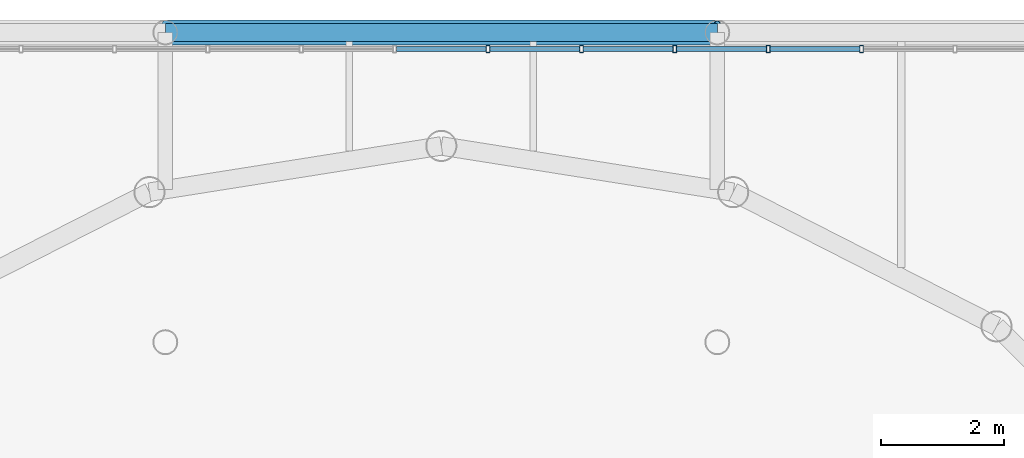
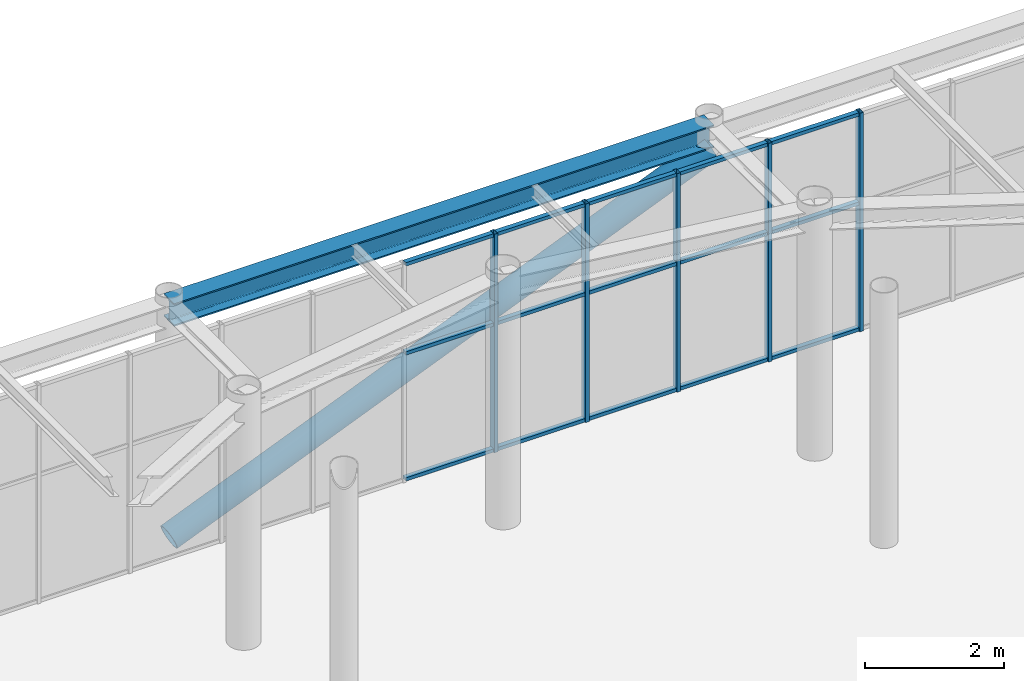
# One storey, part 62 of 149: 21 members, 1 beam, 1 element without a shape of its own.
"""IFC4 building model written with IfcOpenShell, lengths in metres."""

import ifcopenshell
import ifcopenshell.guid

model = None  # the IFC model being written
_history = None  # IfcOwnerHistory: only IFC2X3 demands one
_inside = {}  # id of a spatial element -> (the spatial element, [elements in it])
_under = {}  # id of a project, library or spatial element -> (it, [spatial elements below it])
_declared = {}  # id of a project -> (the project, [libraries it declares])
_typed = {}  # id of a type object -> (the type object, [elements of that type])
_made_of = {}  # id of a material, layer set ... -> (it, [elements and type objects made of it])


def new_model(schema):
    """Start an empty IFC model of exactly this schema.

    Asked for "IFC4X3", IfcOpenShell would pick the latest addendum, in which some entities
    have other attributes; the version numbers below select the first issue.
    IFC2X3 requires an IfcOwnerHistory on every rooted entity: one is made here for all.
    """
    global model, _history
    if schema == "IFC4X3":
        model = ifcopenshell.file(schema_version=(4, 3, 0, 0))
    else:
        model = ifcopenshell.file(schema=schema)
    _inside.clear()
    _under.clear()
    _declared.clear()
    _typed.clear()
    _made_of.clear()
    _history = None
    if model.schema == "IFC2X3":
        org = make("IfcOrganization", Name="unknown")
        user = make(
            "IfcPersonAndOrganization",
            ThePerson=make("IfcPerson", FamilyName="unknown"),
            TheOrganization=org,
        )
        app = make(
            "IfcApplication",
            ApplicationDeveloper=org,
            Version="unknown",
            ApplicationFullName="unknown",
            ApplicationIdentifier="unknown",
        )
        _history = make(
            "IfcOwnerHistory",
            OwningUser=user,
            OwningApplication=app,
            ChangeAction="ADDED",
            CreationDate=0,
        )
    return model


def make(cls, **values):
    """One entity of the class cls with the attributes given. An attribute that is None is left unset."""
    return model.create_entity(
        cls, **{name: value for name, value in values.items() if value is not None}
    )


def rooted(cls, **values):
    """An entity with a GlobalId (a new one), such as an element, a storey or a relation."""
    return make(cls, GlobalId=ifcopenshell.guid.new(), OwnerHistory=_history, **values)


def si_unit(unit_type, name, prefix=None):
    """IfcSIUnit, for example si_unit("LENGTHUNIT", "METRE", prefix="MILLI")."""
    return make("IfcSIUnit", UnitType=unit_type, Prefix=prefix, Name=name)


def assignment(units):
    """IfcUnitAssignment: the units of a project."""
    return None if units is None else make("IfcUnitAssignment", Units=units)


def point(xyz):
    """IfcCartesianPoint."""
    return None if xyz is None else make("IfcCartesianPoint", Coordinates=xyz)


def direction(xyz):
    """IfcDirection."""
    return None if xyz is None else make("IfcDirection", DirectionRatios=xyz)


def frame(location, z_axis=None, x_axis=None):
    """IfcAxis2Placement3D, a coordinate frame: its origin and axes. An axis left out is left unset."""
    return make(
        "IfcAxis2Placement3D",
        Location=point(location),
        Axis=direction(z_axis),
        RefDirection=direction(x_axis),
    )


def frame_2d(location, x_axis=None):
    """IfcAxis2Placement2D, a coordinate frame in the plane: its origin and x axis."""
    return make(
        "IfcAxis2Placement2D", Location=point(location), RefDirection=direction(x_axis)
    )


def origin():
    """The frame at (0, 0, 0) with its axes left unset."""
    return frame((0.0, 0.0, 0.0))


def origin_2d():
    """The frame at (0, 0) in the plane with its x axis left unset."""
    return frame_2d((0.0, 0.0))


def place(relative_to, where):
    """IfcLocalPlacement: puts the frame where relative to a parent placement (None: the world)."""
    return make(
        "IfcLocalPlacement", PlacementRelTo=relative_to, RelativePlacement=where
    )


def context(
    kind, dimensions, precision=None, world=None, true_north=None, identifier=None
):
    """IfcGeometricRepresentationContext, for example the 3D "Model" context."""
    return make(
        "IfcGeometricRepresentationContext",
        ContextIdentifier=identifier,
        ContextType=kind,
        CoordinateSpaceDimension=dimensions,
        Precision=precision,
        WorldCoordinateSystem=world,
        TrueNorth=true_north,
    )


def subcontext(parent, identifier, kind, view, scale=None):
    """IfcGeometricRepresentationSubContext, for example "Body" below "Model"."""
    return make(
        "IfcGeometricRepresentationSubContext",
        ContextIdentifier=identifier,
        ContextType=kind,
        ParentContext=parent,
        TargetScale=scale,
        TargetView=view,
    )


def project(units=None, contexts=None):
    """IfcProject with its units and contexts."""
    return rooted(
        "IfcProject",
        Name="project",
        RepresentationContexts=contexts,
        UnitsInContext=assignment(units),
    )


def spatial(cls, under=None, at=None, **own):
    """A site, building, storey or space (cls), placed at a placement, below another one or the project."""
    s = rooted(cls, ObjectPlacement=at, **own)
    if under is not None:
        _under.setdefault(under.id(), (under, []))[1].append(s)
    return s


def profile(cls, at=None, kind="AREA", **sizes):
    """A parametric profile (cls). Its sizes go by their IFC names, for example OverallWidth=200.0."""
    return make(cls, ProfileType=kind, Position=at, **sizes)


def hollow_rectangle(**sizes):
    """IfcRectangleHollowProfileDef."""
    return profile("IfcRectangleHollowProfileDef", **sizes)


def hollow_circle(**sizes):
    """IfcCircleHollowProfileDef."""
    return profile("IfcCircleHollowProfileDef", **sizes)


def i_section(**sizes):
    """IfcIShapeProfileDef."""
    return profile("IfcIShapeProfileDef", **sizes)


def extrude(swept, where, along, depth):
    """IfcExtrudedAreaSolid: the profile swept, set in the frame where, extruded along a direction by depth."""
    return make(
        "IfcExtrudedAreaSolid",
        SweptArea=swept,
        Position=where,
        ExtrudedDirection=direction(along),
        Depth=depth,
    )


def shape(context_of_items, identifier, shape_type, items):
    """IfcShapeRepresentation: the items that make up one representation, for example the "Body"."""
    return make(
        "IfcShapeRepresentation",
        ContextOfItems=context_of_items,
        RepresentationIdentifier=identifier,
        RepresentationType=shape_type,
        Items=items,
    )


def material(Name=None, Category=None):
    """IfcMaterial."""
    return make("IfcMaterial", Name=Name, Category=Category)


def layer(
    of_material, thickness, ventilated=None, Name=None, Category=None, Priority=None
):
    """IfcMaterialLayer: one layer of a wall or slab, of a material (None: an air gap)."""
    return make(
        "IfcMaterialLayer",
        Material=of_material,
        LayerThickness=thickness,
        IsVentilated=ventilated,
        Name=Name,
        Category=Category,
        Priority=Priority,
    )


def layer_set(layers, Name=None):
    """IfcMaterialLayerSet."""
    return make("IfcMaterialLayerSet", MaterialLayers=layers, LayerSetName=Name)


def material_profile(
    of_material, cross_section, Name=None, Category=None, Priority=None
):
    """IfcMaterialProfile: a cross section and its material."""
    return make(
        "IfcMaterialProfile",
        Name=Name,
        Material=of_material,
        Profile=cross_section,
        Priority=Priority,
        Category=Category,
    )


def profile_set(profiles, Name=None, composite=None):
    """IfcMaterialProfileSet."""
    return make(
        "IfcMaterialProfileSet",
        Name=Name,
        MaterialProfiles=profiles,
        CompositeProfile=composite,
    )


def made_of(thing, what):
    """Note that an element or type object is made of a material, layer set ...; save() writes the relation."""
    if what is not None:
        _made_of.setdefault(what.id(), (what, []))[1].append(thing)
    return thing


def type_object(cls, material=None, **own):
    """A type object (cls), such as IfcWallType, which elements share."""
    return made_of(rooted(cls, **own), material)


def element(
    cls,
    number,
    at=None,
    inside=None,
    cuts=None,
    type_object=None,
    material=None,
    context=None,
    identifier="Body",
    shape_type=None,
    held_by="IfcProductDefinitionShape",
    body=None,
    shapes=None,
    **own,
):
    """One element of the class cls, such as IfcWall. Its Tag is "e" and its number.

    at: its placement. inside: the storey or other place that contains it. cuts: it is an
    opening in that element (IfcRelVoidsElement). A single representation is given by context,
    identifier, shape_type and body (its items); several are given by shapes. held_by: the class
    of the entity that holds the representations. save() writes the other relations.
    """
    e = rooted(cls, Tag="e%d" % number, ObjectPlacement=at, **own)
    if body is not None:
        shapes = [shape(context, identifier, shape_type, body)]
    if shapes is not None:
        e.Representation = make(held_by, Representations=shapes)
    if inside is not None:
        _inside.setdefault(inside.id(), (inside, []))[1].append(e)
    if cuts is not None:
        rooted(
            "IfcRelVoidsElement", RelatingBuildingElement=cuts, RelatedOpeningElement=e
        )
    if type_object is not None:
        _typed.setdefault(type_object.id(), (type_object, []))[1].append(e)
    return made_of(e, material)


def aggregate(whole, parts):
    """IfcRelAggregates: a whole, such as a stair, and the parts it consists of."""
    return rooted("IfcRelAggregates", RelatingObject=whole, RelatedObjects=parts)


def save(model, path):
    """Write the relations noted so far, then the file.

    IfcRelAggregates (storeys below a building ...), IfcRelContainedInSpatialStructure (elements
    in a storey), IfcRelDefinesByType, IfcRelAssociatesMaterial and IfcRelDeclares: one each for
    every whole, place, type object, material and project.
    """
    for whole, parts in _under.values():
        aggregate(whole, parts)
    for where, things in _inside.values():
        rooted(
            "IfcRelContainedInSpatialStructure",
            RelatedElements=things,
            RelatingStructure=where,
        )
    for kind, things in _typed.values():
        rooted("IfcRelDefinesByType", RelatedObjects=things, RelatingType=kind)
    for what, things in _made_of.values():
        rooted("IfcRelAssociatesMaterial", RelatedObjects=things, RelatingMaterial=what)
    for by, libraries in _declared.values():
        rooted("IfcRelDeclares", RelatingContext=by, RelatedDefinitions=libraries)
    model.write(path)


model = new_model("IFC4")

# Units and contexts
model_context = context("Model", 3, precision=1e-05, world=origin(), true_north=direction((0.0, 1.0)))
body_context = subcontext(model_context, "Body", "Model", "MODEL_VIEW")
ifc_project = project(units=[si_unit("LENGTHUNIT", "METRE"), si_unit("AREAUNIT", "SQUARE_METRE"), si_unit("VOLUMEUNIT", "CUBIC_METRE"), si_unit("PLANEANGLEUNIT", "RADIAN"), si_unit("MASSUNIT", "GRAM", prefix="KILO")], contexts=[model_context])

# Site, building, storey
site_placement = place(None, origin())
site = spatial("IfcSite", under=ifc_project, at=site_placement, CompositionType="ELEMENT")
building_placement = place(site_placement, origin())
building = spatial("IfcBuilding", under=site, at=building_placement, Name="Kallimachos Central Library", CompositionType="ELEMENT")
storey_placement = place(building_placement, frame((0.0, 0.0, 9.89990234375)))
storey = spatial("IfcBuildingStorey", under=building, at=storey_placement, Name="L02", CompositionType="ELEMENT", Elevation=9.89990234375)

# Member
ifc_material_1 = material(Name="Steel S355J2H", Category="steel")
ifc_material_profile_1 = material_profile(ifc_material_1, hollow_circle(Radius=0.203125, WallThickness=0.01611328125, at=origin_2d()), Name="CHS 406.4x16")
ifc_profile_set_1 = profile_set([ifc_material_profile_1], Name="Steel S355J2H")
member_type_1 = type_object("IfcMemberType", Name="CHS 406.4x16 brace", PredefinedType="BRACE", material=ifc_profile_set_1)
member_1_placement = place(storey_placement, frame((83.5, 121.64990234375, 0.150146484375), z_axis=(0.924892546912, 0.0, 0.380228584756), x_axis=(0.0, 1.0, 0.0)))
element("IfcMember", 1, at=member_1_placement, inside=storey, type_object=member_type_1, Name="Cantilever truss diagonal north bay 3 L02", PredefinedType="BRACE", context=body_context, shape_type="SweptSolid", body=[
    extrude(hollow_circle(Radius=0.203125, WallThickness=0.01611328125, at=origin_2d()), origin(), (0.0, 0.0, 1.0), 9.73095703125),
])

# Curtain wall, members
ifc_material_2 = material(Name="Anodised aluminium and laminated glass", Category="aluminium")
ifc_layer = layer(ifc_material_2, 0.159912109375)
ifc_layer_set = layer_set([ifc_layer], Name="Glass box curtain wall")
curtain_wall_type = type_object("IfcCurtainWallType", Name="Glass box curtain wall", PredefinedType="NOTDEFINED", material=ifc_layer_set)
curtain_wall_placement = place(storey_placement, origin())
curtain_wall = element("IfcCurtainWall", 2, at=curtain_wall_placement, inside=storey, type_object=curtain_wall_type, Name="Glass box curtain wall N L02", PredefinedType="NOTDEFINED")
ifc_material_3 = material(Name="Anodised aluminium", Category="aluminium")
ifc_material_profile_2 = material_profile(ifc_material_3, hollow_rectangle(XDim=0.06005859375, YDim=0.1201171875, WallThickness=0.00390625, at=origin_2d()), Name="ALU MULLION 60x120")
ifc_profile_set_2 = profile_set([ifc_material_profile_2], Name="Anodised aluminium")
member_type_2 = type_object("IfcMemberType", Name="Glass box mullion 60x120", PredefinedType="MULLION", material=ifc_profile_set_2)
member_2_placement = place(storey_placement, frame((88.761474609375, 121.3798828125, 0.0), z_axis=(0.0, 0.0, 1.0), x_axis=(1.0, 0.0, 0.0)))
member_2 = element("IfcMember", 3, at=member_2_placement, type_object=member_type_2, Name="CW20 mullion 16", PredefinedType="MULLION", context=body_context, shape_type="SweptSolid", body=[
    extrude(hollow_rectangle(XDim=0.06005859375, YDim=0.1201171875, WallThickness=0.00390625, at=origin_2d()), origin(), (0.0, 0.0, 1.0), 3.85009765625),
])
member_3_placement = place(storey_placement, frame((90.2841796875, 121.3798828125, 0.0), z_axis=(0.0, 0.0, 1.0), x_axis=(1.0, 0.0, 0.0)))
member_3 = element("IfcMember", 4, at=member_3_placement, type_object=member_type_2, Name="CW20 mullion 17", PredefinedType="MULLION", context=body_context, shape_type="SweptSolid", body=[
    extrude(hollow_rectangle(XDim=0.06005859375, YDim=0.1201171875, WallThickness=0.00390625, at=origin_2d()), origin(), (0.0, 0.0, 1.0), 3.85009765625),
])
member_4_placement = place(storey_placement, frame((91.806884765625, 121.3798828125, 0.0), z_axis=(0.0, 0.0, 1.0), x_axis=(1.0, 0.0, 0.0)))
member_4 = element("IfcMember", 5, at=member_4_placement, type_object=member_type_2, Name="CW20 mullion 18", PredefinedType="MULLION", context=body_context, shape_type="SweptSolid", body=[
    extrude(hollow_rectangle(XDim=0.06005859375, YDim=0.1201171875, WallThickness=0.00390625, at=origin_2d()), origin(), (0.0, 0.0, 1.0), 3.85009765625),
])
member_5_placement = place(storey_placement, frame((93.32958984375, 121.3798828125, 0.0), z_axis=(0.0, 0.0, 1.0), x_axis=(1.0, 0.0, 0.0)))
member_5 = element("IfcMember", 6, at=member_5_placement, type_object=member_type_2, Name="CW20 mullion 19", PredefinedType="MULLION", context=body_context, shape_type="SweptSolid", body=[
    extrude(hollow_rectangle(XDim=0.06005859375, YDim=0.1201171875, WallThickness=0.00390625, at=origin_2d()), origin(), (0.0, 0.0, 1.0), 3.85009765625),
])
member_6_placement = place(storey_placement, frame((94.852294921875, 121.3798828125, 0.0), z_axis=(0.0, 0.0, 1.0), x_axis=(1.0, 0.0, 0.0)))
member_6 = element("IfcMember", 7, at=member_6_placement, type_object=member_type_2, Name="CW20 mullion 20", PredefinedType="MULLION", context=body_context, shape_type="SweptSolid", body=[
    extrude(hollow_rectangle(XDim=0.06005859375, YDim=0.1201171875, WallThickness=0.00390625, at=origin_2d()), origin(), (0.0, 0.0, 1.0), 3.85009765625),
])
ifc_material_4 = material(Name="Anodised aluminium", Category="aluminium")
ifc_material_profile_3 = material_profile(ifc_material_4, hollow_rectangle(XDim=0.06005859375, YDim=0.080078125, WallThickness=0.00390625, at=origin_2d()), Name="ALU TRANSOM 60x80")
ifc_profile_set_3 = profile_set([ifc_material_profile_3], Name="Anodised aluminium")
member_type_3 = type_object("IfcMemberType", Name="Glass box transom 60x80", PredefinedType="USERDEFINED", material=ifc_profile_set_3)
member_7_placement = place(storey_placement, frame((87.2685546875, 121.3798828125, 0.030029296875), z_axis=(1.0, 0.0, 0.0), x_axis=(0.0, 0.0, 1.0)))
member_7 = element("IfcMember", 8, at=member_7_placement, type_object=member_type_3, Name="CW20 transom 15.1", ObjectType="TRANSOM", PredefinedType="USERDEFINED", context=body_context, shape_type="SweptSolid", body=[
    extrude(hollow_rectangle(XDim=0.06005859375, YDim=0.080078125, WallThickness=0.00390625, at=origin_2d()), origin(), (0.0, 0.0, 1.0), 1.462890625),
])
member_8_placement = place(storey_placement, frame((87.2685546875, 121.3798828125, 2.25), z_axis=(1.0, 0.0, 0.0), x_axis=(0.0, 0.0, 1.0)))
member_8 = element("IfcMember", 9, at=member_8_placement, type_object=member_type_3, Name="CW20 transom 15.2", ObjectType="TRANSOM", PredefinedType="USERDEFINED", context=body_context, shape_type="SweptSolid", body=[
    extrude(hollow_rectangle(XDim=0.06005859375, YDim=0.080078125, WallThickness=0.00390625, at=origin_2d()), origin(), (0.0, 0.0, 1.0), 1.462890625),
])
member_9_placement = place(storey_placement, frame((87.2685546875, 121.3798828125, 3.820068359375), z_axis=(1.0, 0.0, 0.0), x_axis=(0.0, 0.0, 1.0)))
member_9 = element("IfcMember", 10, at=member_9_placement, type_object=member_type_3, Name="CW20 transom 15.3", ObjectType="TRANSOM", PredefinedType="USERDEFINED", context=body_context, shape_type="SweptSolid", body=[
    extrude(hollow_rectangle(XDim=0.06005859375, YDim=0.080078125, WallThickness=0.00390625, at=origin_2d()), origin(), (0.0, 0.0, 1.0), 1.462890625),
])
member_10_placement = place(storey_placement, frame((88.791259765625, 121.3798828125, 0.030029296875), z_axis=(1.0, 0.0, 0.0), x_axis=(0.0, 0.0, 1.0)))
member_10 = element("IfcMember", 11, at=member_10_placement, type_object=member_type_3, Name="CW20 transom 16.1", ObjectType="TRANSOM", PredefinedType="USERDEFINED", context=body_context, shape_type="SweptSolid", body=[
    extrude(hollow_rectangle(XDim=0.06005859375, YDim=0.080078125, WallThickness=0.00390625, at=origin_2d()), origin(), (0.0, 0.0, 1.0), 1.462890625),
])
member_11_placement = place(storey_placement, frame((88.791259765625, 121.3798828125, 2.25), z_axis=(1.0, 0.0, 0.0), x_axis=(0.0, 0.0, 1.0)))
member_11 = element("IfcMember", 12, at=member_11_placement, type_object=member_type_3, Name="CW20 transom 16.2", ObjectType="TRANSOM", PredefinedType="USERDEFINED", context=body_context, shape_type="SweptSolid", body=[
    extrude(hollow_rectangle(XDim=0.06005859375, YDim=0.080078125, WallThickness=0.00390625, at=origin_2d()), origin(), (0.0, 0.0, 1.0), 1.462890625),
])
member_12_placement = place(storey_placement, frame((88.791259765625, 121.3798828125, 3.820068359375), z_axis=(1.0, 0.0, 0.0), x_axis=(0.0, 0.0, 1.0)))
member_12 = element("IfcMember", 13, at=member_12_placement, type_object=member_type_3, Name="CW20 transom 16.3", ObjectType="TRANSOM", PredefinedType="USERDEFINED", context=body_context, shape_type="SweptSolid", body=[
    extrude(hollow_rectangle(XDim=0.06005859375, YDim=0.080078125, WallThickness=0.00390625, at=origin_2d()), origin(), (0.0, 0.0, 1.0), 1.462890625),
])
member_13_placement = place(storey_placement, frame((90.314208984375, 121.3798828125, 0.030029296875), z_axis=(1.0, 0.0, 0.0), x_axis=(0.0, 0.0, 1.0)))
member_13 = element("IfcMember", 14, at=member_13_placement, type_object=member_type_3, Name="CW20 transom 17.1", ObjectType="TRANSOM", PredefinedType="USERDEFINED", context=body_context, shape_type="SweptSolid", body=[
    extrude(hollow_rectangle(XDim=0.06005859375, YDim=0.080078125, WallThickness=0.00390625, at=origin_2d()), origin(), (0.0, 0.0, 1.0), 1.462646484375),
])
member_14_placement = place(storey_placement, frame((90.314208984375, 121.3798828125, 2.25), z_axis=(1.0, 0.0, 0.0), x_axis=(0.0, 0.0, 1.0)))
member_14 = element("IfcMember", 15, at=member_14_placement, type_object=member_type_3, Name="CW20 transom 17.2", ObjectType="TRANSOM", PredefinedType="USERDEFINED", context=body_context, shape_type="SweptSolid", body=[
    extrude(hollow_rectangle(XDim=0.06005859375, YDim=0.080078125, WallThickness=0.00390625, at=origin_2d()), origin(), (0.0, 0.0, 1.0), 1.462646484375),
])
member_15_placement = place(storey_placement, frame((90.314208984375, 121.3798828125, 3.820068359375), z_axis=(1.0, 0.0, 0.0), x_axis=(0.0, 0.0, 1.0)))
member_15 = element("IfcMember", 16, at=member_15_placement, type_object=member_type_3, Name="CW20 transom 17.3", ObjectType="TRANSOM", PredefinedType="USERDEFINED", context=body_context, shape_type="SweptSolid", body=[
    extrude(hollow_rectangle(XDim=0.06005859375, YDim=0.080078125, WallThickness=0.00390625, at=origin_2d()), origin(), (0.0, 0.0, 1.0), 1.462646484375),
])
member_16_placement = place(storey_placement, frame((91.8369140625, 121.3798828125, 0.030029296875), z_axis=(1.0, 0.0, 0.0), x_axis=(0.0, 0.0, 1.0)))
member_16 = element("IfcMember", 17, at=member_16_placement, type_object=member_type_3, Name="CW20 transom 18.1", ObjectType="TRANSOM", PredefinedType="USERDEFINED", context=body_context, shape_type="SweptSolid", body=[
    extrude(hollow_rectangle(XDim=0.06005859375, YDim=0.080078125, WallThickness=0.00390625, at=origin_2d()), origin(), (0.0, 0.0, 1.0), 1.462646484375),
])
member_17_placement = place(storey_placement, frame((91.8369140625, 121.3798828125, 2.25), z_axis=(1.0, 0.0, 0.0), x_axis=(0.0, 0.0, 1.0)))
member_17 = element("IfcMember", 18, at=member_17_placement, type_object=member_type_3, Name="CW20 transom 18.2", ObjectType="TRANSOM", PredefinedType="USERDEFINED", context=body_context, shape_type="SweptSolid", body=[
    extrude(hollow_rectangle(XDim=0.06005859375, YDim=0.080078125, WallThickness=0.00390625, at=origin_2d()), origin(), (0.0, 0.0, 1.0), 1.462646484375),
])
member_18_placement = place(storey_placement, frame((91.8369140625, 121.3798828125, 3.820068359375), z_axis=(1.0, 0.0, 0.0), x_axis=(0.0, 0.0, 1.0)))
member_18 = element("IfcMember", 19, at=member_18_placement, type_object=member_type_3, Name="CW20 transom 18.3", ObjectType="TRANSOM", PredefinedType="USERDEFINED", context=body_context, shape_type="SweptSolid", body=[
    extrude(hollow_rectangle(XDim=0.06005859375, YDim=0.080078125, WallThickness=0.00390625, at=origin_2d()), origin(), (0.0, 0.0, 1.0), 1.462646484375),
])
member_19_placement = place(storey_placement, frame((93.359619140625, 121.3798828125, 0.030029296875), z_axis=(1.0, 0.0, 0.0), x_axis=(0.0, 0.0, 1.0)))
member_19 = element("IfcMember", 20, at=member_19_placement, type_object=member_type_3, Name="CW20 transom 19.1", ObjectType="TRANSOM", PredefinedType="USERDEFINED", context=body_context, shape_type="SweptSolid", body=[
    extrude(hollow_rectangle(XDim=0.06005859375, YDim=0.080078125, WallThickness=0.00390625, at=origin_2d()), origin(), (0.0, 0.0, 1.0), 1.462890625),
])
member_20_placement = place(storey_placement, frame((93.359619140625, 121.3798828125, 2.25), z_axis=(1.0, 0.0, 0.0), x_axis=(0.0, 0.0, 1.0)))
member_20 = element("IfcMember", 21, at=member_20_placement, type_object=member_type_3, Name="CW20 transom 19.2", ObjectType="TRANSOM", PredefinedType="USERDEFINED", context=body_context, shape_type="SweptSolid", body=[
    extrude(hollow_rectangle(XDim=0.06005859375, YDim=0.080078125, WallThickness=0.00390625, at=origin_2d()), origin(), (0.0, 0.0, 1.0), 1.462890625),
])
member_21_placement = place(storey_placement, frame((93.359619140625, 121.3798828125, 3.820068359375), z_axis=(1.0, 0.0, 0.0), x_axis=(0.0, 0.0, 1.0)))
member_21 = element("IfcMember", 22, at=member_21_placement, type_object=member_type_3, Name="CW20 transom 19.3", ObjectType="TRANSOM", PredefinedType="USERDEFINED", context=body_context, shape_type="SweptSolid", body=[
    extrude(hollow_rectangle(XDim=0.06005859375, YDim=0.080078125, WallThickness=0.00390625, at=origin_2d()), origin(), (0.0, 0.0, 1.0), 1.462890625),
])
aggregate(curtain_wall, [member_2, member_3, member_4, member_5, member_6, member_7, member_8, member_9, member_10, member_11, member_12, member_13, member_14, member_15, member_16, member_17, member_18, member_19, member_20, member_21])

# Beam
ifc_material_5 = material(Name="Steel S355J2", Category="steel")
ifc_material_profile_4 = material_profile(ifc_material_5, i_section(OverallWidth=0.300048828125, OverallDepth=0.39990234375, WebThickness=0.013427734375, FlangeThickness=0.02392578125, FilletRadius=0.027099609375, at=origin_2d()), Name="HEB 400")
ifc_profile_set_4 = profile_set([ifc_material_profile_4], Name="Steel S355J2")
beam_type = type_object("IfcBeamType", Name="HEB 400 beam", PredefinedType="BEAM", material=ifc_profile_set_4)
beam_placement = place(storey_placement, frame((83.5, 121.64990234375, 4.150146484375), z_axis=(1.0, 0.0, 0.0), x_axis=(0.0, 1.0, 0.0)))
element("IfcBeam", 23, at=beam_placement, inside=storey, type_object=beam_type, Name="V1-BEM-L02-046", PredefinedType="BEAM", context=body_context, shape_type="SweptSolid", body=[
    extrude(i_section(OverallWidth=0.300048828125, OverallDepth=0.39990234375, WebThickness=0.013427734375, FlangeThickness=0.02392578125, FilletRadius=0.027099609375, at=origin_2d()), origin(), (0.0, 0.0, 1.0), 9.0),
])

save(model, "model.ifc")
